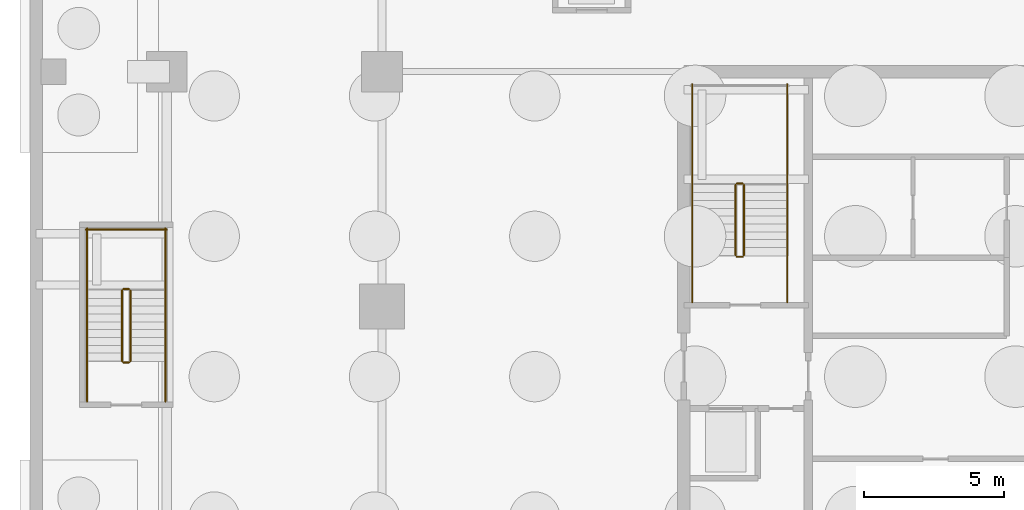
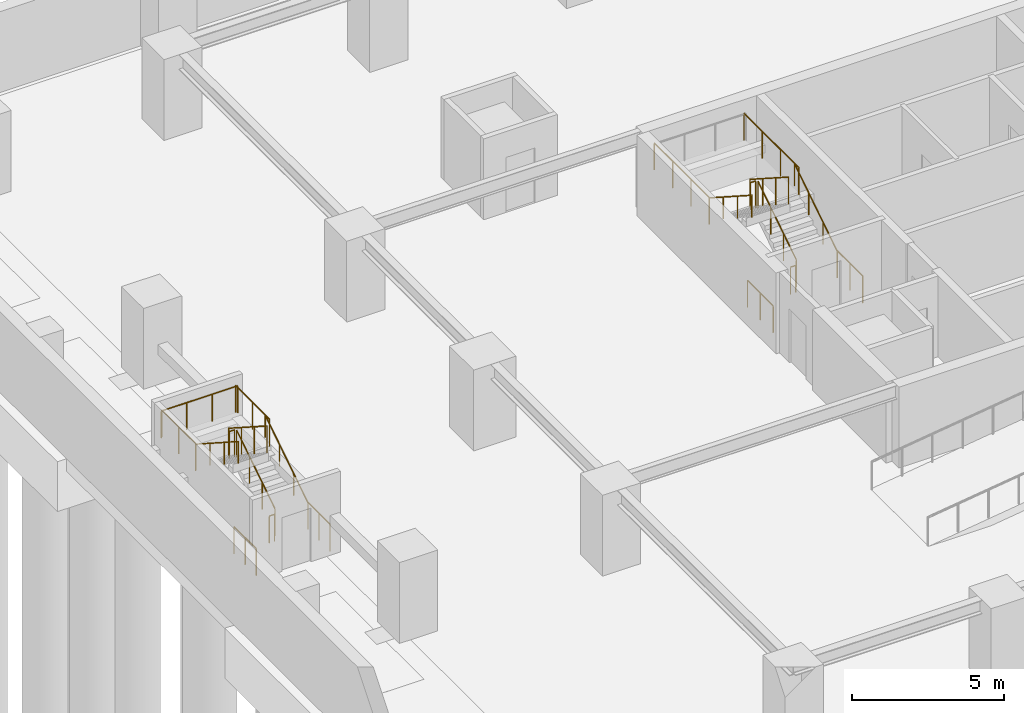
# One storey, part 8 of 12: 21 railings.
"""IFC4 building model written with IfcOpenShell, lengths in metres."""

from ifc_helpers import new_model, si_unit, direction, frame, origin, origin_2d, place, context, subcontext, project, spatial, circle, extrude, material, type_object, element, save


model = new_model("IFC4")

# Units and contexts
model_context = context("Model", 3, precision=1e-05, world=origin(), true_north=direction((0.0, 1.0)))
body_context = subcontext(model_context, "Body", "Model", "MODEL_VIEW")
ifc_project = project(units=[si_unit("LENGTHUNIT", "METRE"), si_unit("AREAUNIT", "SQUARE_METRE"), si_unit("VOLUMEUNIT", "CUBIC_METRE"), si_unit("PLANEANGLEUNIT", "RADIAN"), si_unit("MASSUNIT", "GRAM", prefix="KILO")], contexts=[model_context])

# Site, building, storey
site_placement = place(None, origin())
site = spatial("IfcSite", under=ifc_project, at=site_placement, CompositionType="ELEMENT")
building_placement = place(site_placement, origin())
building = spatial("IfcBuilding", under=site, at=building_placement, Name="Serunith Strait Residences", CompositionType="ELEMENT")
storey_placement = place(building_placement, frame((0.0, 0.0, -10.800048828125)))
storey = spatial("IfcBuildingStorey", under=building, at=storey_placement, Name="B03", CompositionType="ELEMENT", Elevation=-10.800048828125)

# Railings
ifc_material = material(Name="Brushed stainless steel 316L", Category="steel")
railing_type_1 = type_object("IfcRailingType", Name="RLG-STAIR-GUARD", PredefinedType="BALUSTRADE", material=ifc_material)
railing_1_placement = place(storey_placement, frame((25.550048828125, 27.030029296875, 0.179931640625)))
element("IfcRailing", 1, at=railing_1_placement, inside=storey, type_object=railing_type_1, Name="B03 ST-1 stair guard 1", PredefinedType="BALUSTRADE", context=body_context, shape_type="SweptSolid", body=[
    extrude(circle(Radius=0.02392578125, at=origin_2d()), frame((0.0, 0.001708984375, 1.0771484375), z_axis=(0.0, 0.841162588446, 0.540782303519), x_axis=(-1.0, 0.0, 0.0)), (0.0, 0.0, 1.0), 2.991943359375),
    extrude(circle(Radius=0.02099609375, at=origin_2d()), origin(), (0.0, 0.0, 1.0), 1.050048828125),
    extrude(circle(Radius=0.02099609375, at=origin_2d()), frame((0.0, 0.840087890625, 0.5400390625)), (0.0, 0.0, 1.0), 1.050048828125),
    extrude(circle(Radius=0.02099609375, at=origin_2d()), frame((0.0, 1.679931640625, 1.080078125)), (0.0, 0.0, 1.0), 1.050048828125),
    extrude(circle(Radius=0.02099609375, at=origin_2d()), frame((0.0, 2.52001953125, 1.6201171875)), (0.0, 0.0, 1.0), 1.050048828125),
])
railing_2_placement = place(storey_placement, frame((25.5, 29.60009765625, 1.800048828125)))
element("IfcRailing", 2, at=railing_2_placement, inside=storey, type_object=railing_type_1, Name="B03 ST-1 stair guard 2", PredefinedType="BALUSTRADE", context=body_context, shape_type="SweptSolid", body=[
    extrude(circle(Radius=0.02392578125, at=origin_2d()), frame((-0.001953125, 0.0, 1.076171875), z_axis=(-1.0, 0.0, 0.0), x_axis=(0.0, -1.0, 0.0)), (0.0, 0.0, 1.0), 0.196044921875),
    extrude(circle(Radius=0.02099609375, at=origin_2d()), origin(), (0.0, 0.0, 1.0), 1.050048828125),
    extrude(circle(Radius=0.02099609375, at=origin_2d()), frame((-0.199951171875, 0.0, 0.0)), (0.0, 0.0, 1.0), 1.050048828125),
])
for number, where, name in (
    (3, (27.10009765625, 29.550048828125, 1.800048828125), "B03 ST-1 stair guard 3"),
    (4, (23.699951171875, 29.550048828125, 1.800048828125), "B03 ST-1 stair guard 4"),
):
    element("IfcRailing", number, at=place(storey_placement, frame(where)), inside=storey, type_object=railing_type_1, Name=name, PredefinedType="BALUSTRADE", context=body_context, shape_type="SweptSolid", body=[
        extrude(circle(Radius=0.02392578125, at=origin_2d()), frame((0.0, 0.001953125, 1.076171875), z_axis=(0.0, 1.0, 0.0), x_axis=(-1.0, 0.0, 0.0)), (0.0, 0.0, 1.0), 3.595947265625),
        extrude(circle(Radius=0.02099609375, at=origin_2d()), origin(), (0.0, 0.0, 1.0), 1.050048828125),
        extrude(circle(Radius=0.02099609375, at=origin_2d()), frame((0.0, 1.199951171875, 0.0)), (0.0, 0.0, 1.0), 1.050048828125),
        extrude(circle(Radius=0.02099609375, at=origin_2d()), frame((0.0, 2.39990234375, 0.0)), (0.0, 0.0, 1.0), 1.050048828125),
        extrude(circle(Radius=0.02099609375, at=origin_2d()), frame((0.0, 3.599853515625, 0.0)), (0.0, 0.0, 1.0), 1.050048828125),
    ])
railing_3_placement = place(storey_placement, frame((25.25, 29.550048828125, 1.97998046875)))
element("IfcRailing", 5, at=railing_3_placement, inside=storey, type_object=railing_type_1, Name="B03 ST-1 stair guard 6", PredefinedType="BALUSTRADE", context=body_context, shape_type="SweptSolid", body=[
    extrude(circle(Radius=0.02392578125, at=origin_2d()), frame((0.0, -0.001708984375, 1.0771484375), z_axis=(0.0, -0.841162588446, 0.540782303519), x_axis=(1.0, 0.0, 0.0)), (0.0, 0.0, 1.0), 2.991943359375),
    extrude(circle(Radius=0.02099609375, at=origin_2d()), origin(), (0.0, 0.0, 1.0), 1.050048828125),
    extrude(circle(Radius=0.02099609375, at=origin_2d()), frame((0.0, -0.840087890625, 0.5400390625)), (0.0, 0.0, 1.0), 1.050048828125),
    extrude(circle(Radius=0.02099609375, at=origin_2d()), frame((0.0, -1.679931640625, 1.080078125)), (0.0, 0.0, 1.0), 1.050048828125),
    extrude(circle(Radius=0.02099609375, at=origin_2d()), frame((0.0, -2.52001953125, 1.6201171875)), (0.0, 0.0, 1.0), 1.050048828125),
])
railing_4_placement = place(storey_placement, frame((25.5, 26.97998046875, 0.0)))
element("IfcRailing", 6, at=railing_4_placement, inside=storey, type_object=railing_type_1, Name="B03 ST-1 stair guard 7", PredefinedType="BALUSTRADE", context=body_context, shape_type="SweptSolid", body=[
    extrude(circle(Radius=0.02392578125, at=origin_2d()), frame((-0.001953125, 0.0, 1.076171875), z_axis=(-1.0, 0.0, 0.0), x_axis=(0.0, -1.0, 0.0)), (0.0, 0.0, 1.0), 0.196044921875),
    extrude(circle(Radius=0.02099609375, at=origin_2d()), origin(), (0.0, 0.0, 1.0), 1.050048828125),
    extrude(circle(Radius=0.02099609375, at=origin_2d()), frame((-0.199951171875, 0.0, 0.0)), (0.0, 0.0, 1.0), 1.050048828125),
])
for number, where, name in (
    (7, (27.10009765625, 25.35009765625, 0.0), "B03 ST-1 stair guard 8"),
    (8, (23.699951171875, 25.35009765625, 0.0), "B03 ST-1 stair guard 9"),
):
    element("IfcRailing", number, at=place(storey_placement, frame(where)), inside=storey, type_object=railing_type_1, Name=name, PredefinedType="BALUSTRADE", context=body_context, shape_type="SweptSolid", body=[
        extrude(circle(Radius=0.02392578125, at=origin_2d()), frame((0.0, 0.001953125, 1.076171875), z_axis=(0.0, 1.0, 0.0), x_axis=(-1.0, 0.0, 0.0)), (0.0, 0.0, 1.0), 1.676025390625),
        extrude(circle(Radius=0.02099609375, at=origin_2d()), origin(), (0.0, 0.0, 1.0), 1.050048828125),
        extrude(circle(Radius=0.02099609375, at=origin_2d()), frame((0.0, 0.83984375, 0.0)), (0.0, 0.0, 1.0), 1.050048828125),
        extrude(circle(Radius=0.02099609375, at=origin_2d()), frame((0.0, 1.679931640625, 0.0)), (0.0, 0.0, 1.0), 1.050048828125),
    ])
railing_5_placement = place(storey_placement, frame((3.60009765625, 23.25, 0.179931640625)))
element("IfcRailing", 9, at=railing_5_placement, inside=storey, type_object=railing_type_1, Name="B03 ST-5 stair guard 1", PredefinedType="BALUSTRADE", context=body_context, shape_type="SweptSolid", body=[
    extrude(circle(Radius=0.02392578125, at=origin_2d()), frame((0.0, 0.001708984375, 1.0771484375), z_axis=(0.0, 0.841162588446, 0.540782303519), x_axis=(-1.0, 0.0, 0.0)), (0.0, 0.0, 1.0), 2.991943359375),
    extrude(circle(Radius=0.02099609375, at=origin_2d()), origin(), (0.0, 0.0, 1.0), 1.050048828125),
    extrude(circle(Radius=0.02099609375, at=origin_2d()), frame((0.0, 0.840087890625, 0.5400390625)), (0.0, 0.0, 1.0), 1.050048828125),
    extrude(circle(Radius=0.02099609375, at=origin_2d()), frame((0.0, 1.679931640625, 1.080078125)), (0.0, 0.0, 1.0), 1.050048828125),
    extrude(circle(Radius=0.02099609375, at=origin_2d()), frame((0.0, 2.52001953125, 1.6201171875)), (0.0, 0.0, 1.0), 1.050048828125),
])
railing_6_placement = place(storey_placement, frame((3.550048828125, 25.820068359375, 1.800048828125)))
element("IfcRailing", 10, at=railing_6_placement, inside=storey, type_object=railing_type_1, Name="B03 ST-5 stair guard 2", PredefinedType="BALUSTRADE", context=body_context, shape_type="SweptSolid", body=[
    extrude(circle(Radius=0.02392578125, at=origin_2d()), frame((-0.001953125, 0.0, 1.076171875), z_axis=(-1.0, 0.0, 0.0), x_axis=(0.0, -1.0, 0.0)), (0.0, 0.0, 1.0), 0.196044921875),
    extrude(circle(Radius=0.02099609375, at=origin_2d()), origin(), (0.0, 0.0, 1.0), 1.050048828125),
    extrude(circle(Radius=0.02099609375, at=origin_2d()), frame((-0.199951171875, 0.0, 0.0)), (0.0, 0.0, 1.0), 1.050048828125),
])
for number, where, name in (
    (11, (4.85009765625, 25.77001953125, 1.800048828125), "B03 ST-5 stair guard 3"),
    (12, (2.050048828125, 25.77001953125, 1.800048828125), "B03 ST-5 stair guard 4"),
):
    element("IfcRailing", number, at=place(storey_placement, frame(where)), inside=storey, type_object=railing_type_1, Name=name, PredefinedType="BALUSTRADE", context=body_context, shape_type="SweptSolid", body=[
        extrude(circle(Radius=0.02392578125, at=origin_2d()), frame((0.0, 0.001953125, 1.076171875), z_axis=(0.0, 1.0, 0.0), x_axis=(-1.0, 0.0, 0.0)), (0.0, 0.0, 1.0), 2.22607421875),
        extrude(circle(Radius=0.02099609375, at=origin_2d()), origin(), (0.0, 0.0, 1.0), 1.050048828125),
        extrude(circle(Radius=0.02099609375, at=origin_2d()), frame((0.0, 1.114990234375, 0.0)), (0.0, 0.0, 1.0), 1.050048828125),
        extrude(circle(Radius=0.02099609375, at=origin_2d()), frame((0.0, 2.22998046875, 0.0)), (0.0, 0.0, 1.0), 1.050048828125),
    ])
railing_7_placement = place(storey_placement, frame((4.89990234375, 27.949951171875, 1.800048828125)))
element("IfcRailing", 13, at=railing_7_placement, inside=storey, type_object=railing_type_1, Name="B03 ST-5 stair guard 5", PredefinedType="BALUSTRADE", context=body_context, shape_type="SweptSolid", body=[
    extrude(circle(Radius=0.02392578125, at=origin_2d()), frame((-0.001953125, 0.0, 1.076171875), z_axis=(-1.0, 0.0, 0.0), x_axis=(0.0, -1.0, 0.0)), (0.0, 0.0, 1.0), 2.89599609375),
    extrude(circle(Radius=0.02099609375, at=origin_2d()), origin(), (0.0, 0.0, 1.0), 1.050048828125),
    extrude(circle(Radius=0.02099609375, at=origin_2d()), frame((-0.966552734375, 0.0, 0.0)), (0.0, 0.0, 1.0), 1.050048828125),
    extrude(circle(Radius=0.02099609375, at=origin_2d()), frame((-1.933349609375, 0.0, 0.0)), (0.0, 0.0, 1.0), 1.050048828125),
    extrude(circle(Radius=0.02099609375, at=origin_2d()), frame((-2.89990234375, 0.0, 0.0)), (0.0, 0.0, 1.0), 1.050048828125),
])
railing_8_placement = place(storey_placement, frame((3.300048828125, 25.77001953125, 1.97998046875)))
element("IfcRailing", 14, at=railing_8_placement, inside=storey, type_object=railing_type_1, Name="B03 ST-5 stair guard 6", PredefinedType="BALUSTRADE", context=body_context, shape_type="SweptSolid", body=[
    extrude(circle(Radius=0.02392578125, at=origin_2d()), frame((0.0, -0.001708984375, 1.0771484375), z_axis=(0.0, -0.841162588446, 0.540782303519), x_axis=(1.0, 0.0, 0.0)), (0.0, 0.0, 1.0), 2.991943359375),
    extrude(circle(Radius=0.02099609375, at=origin_2d()), origin(), (0.0, 0.0, 1.0), 1.050048828125),
    extrude(circle(Radius=0.02099609375, at=origin_2d()), frame((0.0, -0.840087890625, 0.5400390625)), (0.0, 0.0, 1.0), 1.050048828125),
    extrude(circle(Radius=0.02099609375, at=origin_2d()), frame((0.0, -1.679931640625, 1.080078125)), (0.0, 0.0, 1.0), 1.050048828125),
    extrude(circle(Radius=0.02099609375, at=origin_2d()), frame((0.0, -2.52001953125, 1.6201171875)), (0.0, 0.0, 1.0), 1.050048828125),
])
railing_9_placement = place(storey_placement, frame((3.550048828125, 23.199951171875, 0.0)))
element("IfcRailing", 15, at=railing_9_placement, inside=storey, type_object=railing_type_1, Name="B03 ST-5 stair guard 7", PredefinedType="BALUSTRADE", context=body_context, shape_type="SweptSolid", body=[
    extrude(circle(Radius=0.02392578125, at=origin_2d()), frame((-0.001953125, 0.0, 1.076171875), z_axis=(-1.0, 0.0, 0.0), x_axis=(0.0, -1.0, 0.0)), (0.0, 0.0, 1.0), 0.196044921875),
    extrude(circle(Radius=0.02099609375, at=origin_2d()), origin(), (0.0, 0.0, 1.0), 1.050048828125),
    extrude(circle(Radius=0.02099609375, at=origin_2d()), frame((-0.199951171875, 0.0, 0.0)), (0.0, 0.0, 1.0), 1.050048828125),
])
for number, where, name in (
    (16, (4.85009765625, 21.800048828125, 0.0), "B03 ST-5 stair guard 8"),
    (17, (2.050048828125, 21.800048828125, 0.0), "B03 ST-5 stair guard 9"),
):
    element("IfcRailing", number, at=place(storey_placement, frame(where)), inside=storey, type_object=railing_type_1, Name=name, PredefinedType="BALUSTRADE", context=body_context, shape_type="SweptSolid", body=[
        extrude(circle(Radius=0.02392578125, at=origin_2d()), frame((0.0, 0.001953125, 1.076171875), z_axis=(0.0, 1.0, 0.0), x_axis=(-1.0, 0.0, 0.0)), (0.0, 0.0, 1.0), 1.446044921875),
        extrude(circle(Radius=0.02099609375, at=origin_2d()), origin(), (0.0, 0.0, 1.0), 1.050048828125),
        extrude(circle(Radius=0.02099609375, at=origin_2d()), frame((0.0, 0.72509765625, 0.0)), (0.0, 0.0, 1.0), 1.050048828125),
        extrude(circle(Radius=0.02099609375, at=origin_2d()), frame((0.0, 1.449951171875, 0.0)), (0.0, 0.0, 1.0), 1.050048828125),
    ])
railing_type_2 = type_object("IfcRailingType", Name="RLG-STAIR-HR", PredefinedType="HANDRAIL", material=ifc_material)
railing_10_placement = place(storey_placement, frame((27.10009765625, 27.030029296875, 0.179931640625)))
element("IfcRailing", 18, at=railing_10_placement, inside=storey, type_object=railing_type_2, Name="B03 ST-1 stair handrail 1", PredefinedType="HANDRAIL", context=body_context, shape_type="SweptSolid", body=[
    extrude(circle(Radius=0.02392578125, at=origin_2d()), frame((0.0, 0.001708984375, 0.876953125), z_axis=(0.0, 0.840475366265, 0.541849756576), x_axis=(-1.0, 0.0, 0.0)), (0.0, 0.0, 1.0), 3.327392578125),
    extrude(circle(Radius=0.02099609375, at=origin_2d()), origin(), (0.0, 0.0, 1.0), 0.849853515625),
    extrude(circle(Radius=0.02099609375, at=origin_2d()), frame((0.0, 0.933349609375, 0.601806640625)), (0.0, 0.0, 1.0), 0.849853515625),
    extrude(circle(Radius=0.02099609375, at=origin_2d()), frame((0.0, 1.86669921875, 1.203369140625)), (0.0, 0.0, 1.0), 0.849853515625),
    extrude(circle(Radius=0.02099609375, at=origin_2d()), frame((0.0, 2.800048828125, 1.80517578125)), (0.0, 0.0, 1.0), 0.849853515625),
])
railing_11_placement = place(storey_placement, frame((23.699951171875, 29.550048828125, 1.97998046875)))
element("IfcRailing", 19, at=railing_11_placement, inside=storey, type_object=railing_type_2, Name="B03 ST-1 stair handrail 2", PredefinedType="HANDRAIL", context=body_context, shape_type="SweptSolid", body=[
    extrude(circle(Radius=0.02392578125, at=origin_2d()), frame((0.0, -0.001708984375, 0.876953125), z_axis=(0.0, -0.840475366265, 0.541849756576), x_axis=(1.0, 0.0, 0.0)), (0.0, 0.0, 1.0), 3.327392578125),
    extrude(circle(Radius=0.02099609375, at=origin_2d()), origin(), (0.0, 0.0, 1.0), 0.849853515625),
    extrude(circle(Radius=0.02099609375, at=origin_2d()), frame((0.0, -0.933349609375, 0.601806640625)), (0.0, 0.0, 1.0), 0.849853515625),
    extrude(circle(Radius=0.02099609375, at=origin_2d()), frame((0.0, -1.86669921875, 1.203369140625)), (0.0, 0.0, 1.0), 0.849853515625),
    extrude(circle(Radius=0.02099609375, at=origin_2d()), frame((0.0, -2.800048828125, 1.80517578125)), (0.0, 0.0, 1.0), 0.849853515625),
])
railing_12_placement = place(storey_placement, frame((4.85009765625, 23.25, 0.179931640625)))
element("IfcRailing", 20, at=railing_12_placement, inside=storey, type_object=railing_type_2, Name="B03 ST-5 stair handrail 1", PredefinedType="HANDRAIL", context=body_context, shape_type="SweptSolid", body=[
    extrude(circle(Radius=0.02392578125, at=origin_2d()), frame((0.0, 0.001708984375, 0.876953125), z_axis=(0.0, 0.840475366265, 0.541849756576), x_axis=(-1.0, 0.0, 0.0)), (0.0, 0.0, 1.0), 3.327392578125),
    extrude(circle(Radius=0.02099609375, at=origin_2d()), origin(), (0.0, 0.0, 1.0), 0.849853515625),
    extrude(circle(Radius=0.02099609375, at=origin_2d()), frame((0.0, 0.933349609375, 0.601806640625)), (0.0, 0.0, 1.0), 0.849853515625),
    extrude(circle(Radius=0.02099609375, at=origin_2d()), frame((0.0, 1.86669921875, 1.203369140625)), (0.0, 0.0, 1.0), 0.849853515625),
    extrude(circle(Radius=0.02099609375, at=origin_2d()), frame((0.0, 2.800048828125, 1.80517578125)), (0.0, 0.0, 1.0), 0.849853515625),
])
railing_13_placement = place(storey_placement, frame((2.050048828125, 25.77001953125, 1.97998046875)))
element("IfcRailing", 21, at=railing_13_placement, inside=storey, type_object=railing_type_2, Name="B03 ST-5 stair handrail 2", PredefinedType="HANDRAIL", context=body_context, shape_type="SweptSolid", body=[
    extrude(circle(Radius=0.02392578125, at=origin_2d()), frame((0.0, -0.001708984375, 0.876953125), z_axis=(0.0, -0.840475366265, 0.541849756576), x_axis=(1.0, 0.0, 0.0)), (0.0, 0.0, 1.0), 3.327392578125),
    extrude(circle(Radius=0.02099609375, at=origin_2d()), origin(), (0.0, 0.0, 1.0), 0.849853515625),
    extrude(circle(Radius=0.02099609375, at=origin_2d()), frame((0.0, -0.933349609375, 0.601806640625)), (0.0, 0.0, 1.0), 0.849853515625),
    extrude(circle(Radius=0.02099609375, at=origin_2d()), frame((0.0, -1.86669921875, 1.203369140625)), (0.0, 0.0, 1.0), 0.849853515625),
    extrude(circle(Radius=0.02099609375, at=origin_2d()), frame((0.0, -2.800048828125, 1.80517578125)), (0.0, 0.0, 1.0), 0.849853515625),
])

save(model, "model.ifc")
